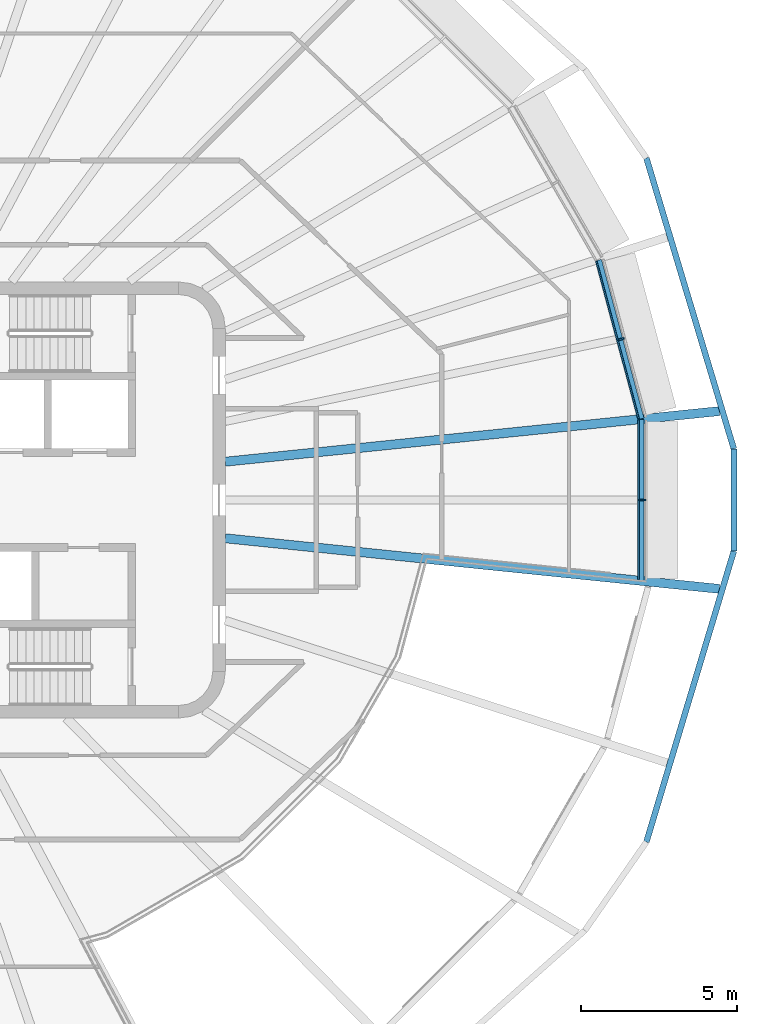
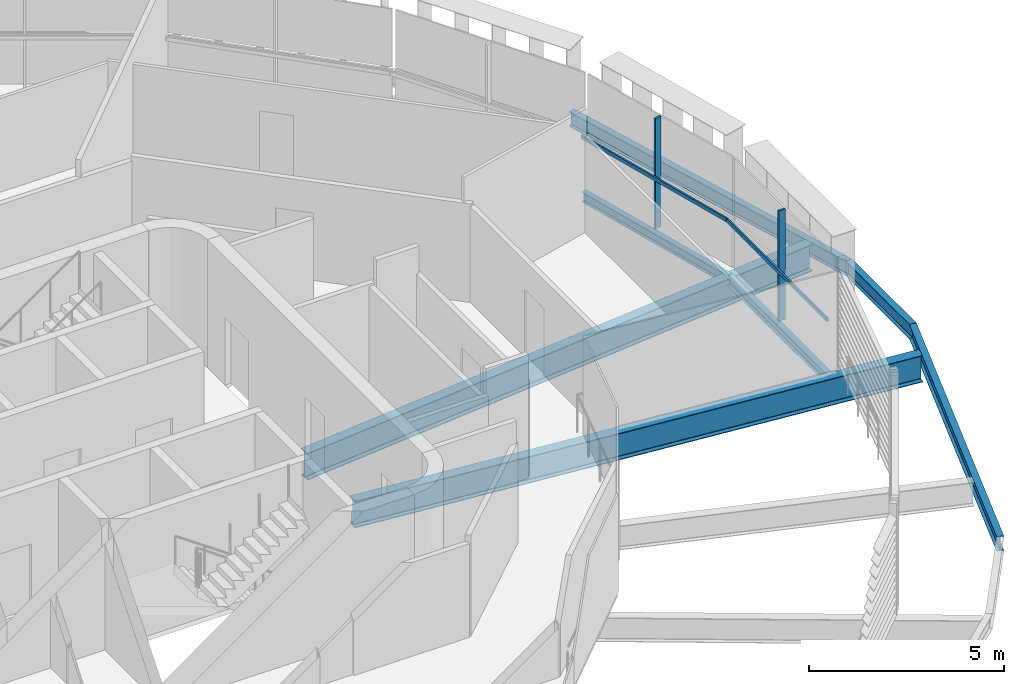
# One storey, part 4 of 18: 7 beams, 4 members, 2 elements without a shape of their own.
"""IFC4 building model written with IfcOpenShell, lengths in metres."""

from ifc_helpers import new_model, si_unit, direction, frame, origin, origin_2d, place, context, subcontext, project, spatial, rectangle, i_section, extrude, material, layer, layer_set, material_profile, profile_set, type_object, element, aggregate, save


model = new_model("IFC4")

# Units and contexts
model_context = context("Model", 3, precision=1e-05, world=origin(), true_north=direction((0.0, 1.0)))
body_context = subcontext(model_context, "Body", "Model", "MODEL_VIEW")
ifc_project = project(units=[si_unit("LENGTHUNIT", "METRE"), si_unit("AREAUNIT", "SQUARE_METRE"), si_unit("VOLUMEUNIT", "CUBIC_METRE"), si_unit("PLANEANGLEUNIT", "RADIAN"), si_unit("MASSUNIT", "GRAM", prefix="KILO")], contexts=[model_context])

# Site, building, storey
site_placement = place(None, origin())
site = spatial("IfcSite", under=ifc_project, at=site_placement, CompositionType="ELEMENT")
building_placement = place(site_placement, origin())
building = spatial("IfcBuilding", under=site, at=building_placement, Name="Sahrelin Media Tower", CompositionType="ELEMENT")
storey_placement = place(building_placement, frame((0.0, 0.0, 312.39990234375)))
storey = spatial("IfcBuildingStorey", under=building, at=storey_placement, Name="L69", CompositionType="ELEMENT", Elevation=312.39990234375)

# Beams
ifc_material_1 = material(Name="Steel S355", Category="steel")
ifc_material_profile_1 = material_profile(ifc_material_1, i_section(OverallWidth=0.1650390625, OverallDepth=0.303466796875, WebThickness=0.006103515625, FlangeThickness=0.01025390625, FilletRadius=0.0087890625, at=origin_2d()), Name="UB 305x165x40")
ifc_profile_set_1 = profile_set([ifc_material_profile_1], Name="Steel S355")
beam_type_1 = type_object("IfcBeamType", Name="Edge beam EB2", PredefinedType="BEAM", material=ifc_profile_set_1)
beam_1_placement = place(storey_placement, frame((25.36669921875, 2.578857421875, -0.301513671875), z_axis=(0.0, -1.0, 0.0), x_axis=(1.0, 0.0, 0.0)))
element("IfcBeam", 1, at=beam_1_placement, inside=storey, type_object=beam_type_1, Name="Edge beam L69-01", PredefinedType="BEAM", context=body_context, shape_type="SweptSolid", body=[
    extrude(i_section(OverallWidth=0.1650390625, OverallDepth=0.303466796875, WebThickness=0.006103515625, FlangeThickness=0.01025390625, FilletRadius=0.0087890625, at=origin_2d()), origin(), (0.0, 0.0, 1.0), 5.15771484375),
])
beam_2_placement = place(storey_placement, frame((23.9970703125, 7.705078125, -0.301513671875), z_axis=(0.258785415535, -0.965934836677, 0.0), x_axis=(0.965934836677, 0.258785415535, 0.0)))
element("IfcBeam", 2, at=beam_2_placement, inside=storey, type_object=beam_type_1, Name="Edge beam L69-20", PredefinedType="BEAM", context=body_context, shape_type="SweptSolid", body=[
    extrude(i_section(OverallWidth=0.1650390625, OverallDepth=0.303466796875, WebThickness=0.006103515625, FlangeThickness=0.01025390625, FilletRadius=0.0087890625, at=origin_2d()), origin(), (0.0, 0.0, 1.0), 5.27734375),
])

# Curtain wall, member
ifc_material_2 = material(Name="Champagne anodised aluminium 6063-T6", Category="aluminium")
ifc_layer = layer(ifc_material_2, 0.14990234375)
ifc_layer_set = layer_set([ifc_layer], Name="Tower ribbon curtain wall")
curtain_wall_type = type_object("IfcCurtainWallType", Name="Tower ribbon curtain wall", PredefinedType="NOTDEFINED", material=ifc_layer_set)
curtain_wall_1_placement = place(storey_placement, frame((25.5166015625, 0.0, 0.0), z_axis=(0.0, 0.0, 1.0), x_axis=(1.0, 0.0, 0.0)))
curtain_wall_1 = element("IfcCurtainWall", 3, at=curtain_wall_1_placement, inside=storey, type_object=curtain_wall_type, Name="L69:CW:L69-00", PredefinedType="NOTDEFINED")
ifc_material_profile_2 = material_profile(ifc_material_2, rectangle(XDim=0.06005859375, YDim=0.199951171875, at=origin_2d()), Name="Mullion 60x200")
ifc_profile_set_2 = profile_set([ifc_material_profile_2], Name="Champagne anodised aluminium 6063-T6")
member_type_1 = type_object("IfcMemberType", Name="Mullion 60x200 CW1C", PredefinedType="MULLION", material=ifc_profile_set_2)
member_1_placement = place(storey_placement, frame((25.396728515625, 0.0, 0.0), z_axis=(0.0, 0.0, 1.0), x_axis=(0.0, 1.0, 0.0)))
member_1 = element("IfcMember", 4, at=member_1_placement, type_object=member_type_1, Name="L69:CWM:L69-00", PredefinedType="MULLION", context=body_context, shape_type="SweptSolid", body=[
    extrude(rectangle(XDim=0.06005859375, YDim=0.199951171875, at=origin_2d()), origin(), (0.0, 0.0, 1.0), 3.44873046875),
])

curtain_wall_2_placement = place(storey_placement, frame((24.824951171875, 5.195068359375, 0.0), z_axis=(0.0, 0.0, 1.0), x_axis=(1.0, 0.0, 0.0)))
curtain_wall_2 = element("IfcCurtainWall", 5, at=curtain_wall_2_placement, inside=storey, type_object=curtain_wall_type, Name="L69:CW:L69-01", PredefinedType="NOTDEFINED")
member_2_placement = place(storey_placement, frame((24.708984375, 5.1640625, 0.0), z_axis=(0.0, 0.0, 1.0), x_axis=(-0.258812301662, 0.965927633163, 0.0)))
member_2 = element("IfcMember", 6, at=member_2_placement, type_object=member_type_1, Name="L69:CWM:L69-01", PredefinedType="MULLION", context=body_context, shape_type="SweptSolid", body=[
    extrude(rectangle(XDim=0.06005859375, YDim=0.199951171875, at=origin_2d()), origin(), (0.0, 0.0, 1.0), 3.44873046875),
])

# Beams
ifc_material_profile_3 = material_profile(ifc_material_1, i_section(OverallWidth=0.291748046875, OverallDepth=0.8349609375, WebThickness=0.013916015625, FlangeThickness=0.018798828125, FilletRadius=0.017822265625, at=origin_2d()), Name="UB 838x292x176")
ifc_profile_set_3 = profile_set([ifc_material_profile_3], Name="Steel S355")
beam_type_2 = type_object("IfcBeamType", Name="Radial primary beam PB10", PredefinedType="BEAM", material=ifc_profile_set_3)
for number, where, z_axis, x_axis, name in (
    (7, (12.0, 1.22900390625, -0.5673828125), (0.994796649045, 0.1018804547, 0.0), (-0.1018804547, 0.994796649045, 0.0), "Radial beam L69-01"),
    (8, (12.0, -1.22900390625, -0.5673828125), (0.994796649045, -0.1018804547, 0.0), (0.1018804547, 0.994796649045, 0.0), "Radial beam L69-24"),
):
    element("IfcBeam", number, at=place(storey_placement, frame(where, z_axis=z_axis, x_axis=x_axis)), inside=storey, type_object=beam_type_2, Name=name, PredefinedType="BEAM", context=body_context, shape_type="SweptSolid", body=[
        extrude(i_section(OverallWidth=0.291748046875, OverallDepth=0.8349609375, WebThickness=0.013916015625, FlangeThickness=0.018798828125, FilletRadius=0.017822265625, at=origin_2d()), origin(), (0.0, 0.0, 1.0), 15.9453125),
    ])
ifc_material_profile_4 = material_profile(ifc_material_1, i_section(OverallWidth=0.1904296875, OverallDepth=0.45703125, WebThickness=0.009033203125, FlangeThickness=0.014404296875, FilletRadius=0.01025390625, at=origin_2d()), Name="UB 457x191x74")
ifc_profile_set_4 = profile_set([ifc_material_profile_4], Name="Steel S355")
beam_type_3 = type_object("IfcBeamType", Name="Tie chord TC5", PredefinedType="BEAM", material=ifc_profile_set_4)
for number, where, z_axis, x_axis, name in (
    (9, (28.326904296875, 1.638671875, -0.37841796875), (-0.287981635089, 0.957635931788, 0.0), (-0.957635931788, -0.287981635089, 0.0), "Tie chord L69-01"),
    (10, (25.51806640625, -10.97900390625, -0.37841796875), (0.287981635089, 0.957635931788, 0.0), (-0.957635931788, 0.287981635089, 0.0), "Tie chord L69-23"),
):
    element("IfcBeam", number, at=place(storey_placement, frame(where, z_axis=z_axis, x_axis=x_axis)), inside=storey, type_object=beam_type_3, Name=name, PredefinedType="BEAM", context=body_context, shape_type="SweptSolid", body=[
        extrude(i_section(OverallWidth=0.1904296875, OverallDepth=0.45703125, WebThickness=0.009033203125, FlangeThickness=0.014404296875, FilletRadius=0.01025390625, at=origin_2d()), origin(), (0.0, 0.0, 1.0), 9.75341796875),
    ])
beam_3_placement = place(storey_placement, frame((28.326904296875, -1.638671875, -0.37841796875), z_axis=(0.0, 1.0, 0.0), x_axis=(-1.0, 0.0, 0.0)))
element("IfcBeam", 11, at=beam_3_placement, inside=storey, type_object=beam_type_3, Name="Tie chord L69-24", PredefinedType="BEAM", context=body_context, shape_type="SweptSolid", body=[
    extrude(i_section(OverallWidth=0.1904296875, OverallDepth=0.45703125, WebThickness=0.009033203125, FlangeThickness=0.014404296875, FilletRadius=0.01025390625, at=origin_2d()), origin(), (0.0, 0.0, 1.0), 3.27734375),
])

# Member
ifc_material_profile_5 = material_profile(ifc_material_2, rectangle(XDim=0.050048828125, YDim=0.1201171875, at=origin_2d()), Name="Transom 50x120")
ifc_profile_set_5 = profile_set([ifc_material_profile_5], Name="Champagne anodised aluminium 6063-T6")
member_type_2 = type_object("IfcMemberType", Name="Transom 50x120 CW1C", PredefinedType="USERDEFINED", material=ifc_profile_set_5)
member_3_placement = place(storey_placement, frame((25.271728515625, -2.563232421875, 1.60009765625), z_axis=(0.0, 1.0, 0.0), x_axis=(-1.0, 0.0, 0.0)))
member_3 = element("IfcMember", 12, at=member_3_placement, type_object=member_type_2, Name="L69:CWT:L69-00", ObjectType="TRANSOM", PredefinedType="USERDEFINED", context=body_context, shape_type="SweptSolid", body=[
    extrude(rectangle(XDim=0.050048828125, YDim=0.1201171875, at=origin_2d()), origin(), (0.0, 0.0, 1.0), 5.12646484375),
])

aggregate(curtain_wall_1, [member_1, member_3])

member_4_placement = place(storey_placement, frame((25.26708984375, 2.59814453125, 1.60009765625), z_axis=(-0.258806648574, 0.965929147844, 0.0), x_axis=(-0.965929147844, -0.258806648574, 0.0)))
member_4 = element("IfcMember", 13, at=member_4_placement, type_object=member_type_2, Name="L69:CWT:L69-01", ObjectType="TRANSOM", PredefinedType="USERDEFINED", context=body_context, shape_type="SweptSolid", body=[
    extrude(rectangle(XDim=0.050048828125, YDim=0.1201171875, at=origin_2d()), origin(), (0.0, 0.0, 1.0), 5.245849609375),
])

aggregate(curtain_wall_2, [member_2, member_4])

save(model, "model.ifc")
